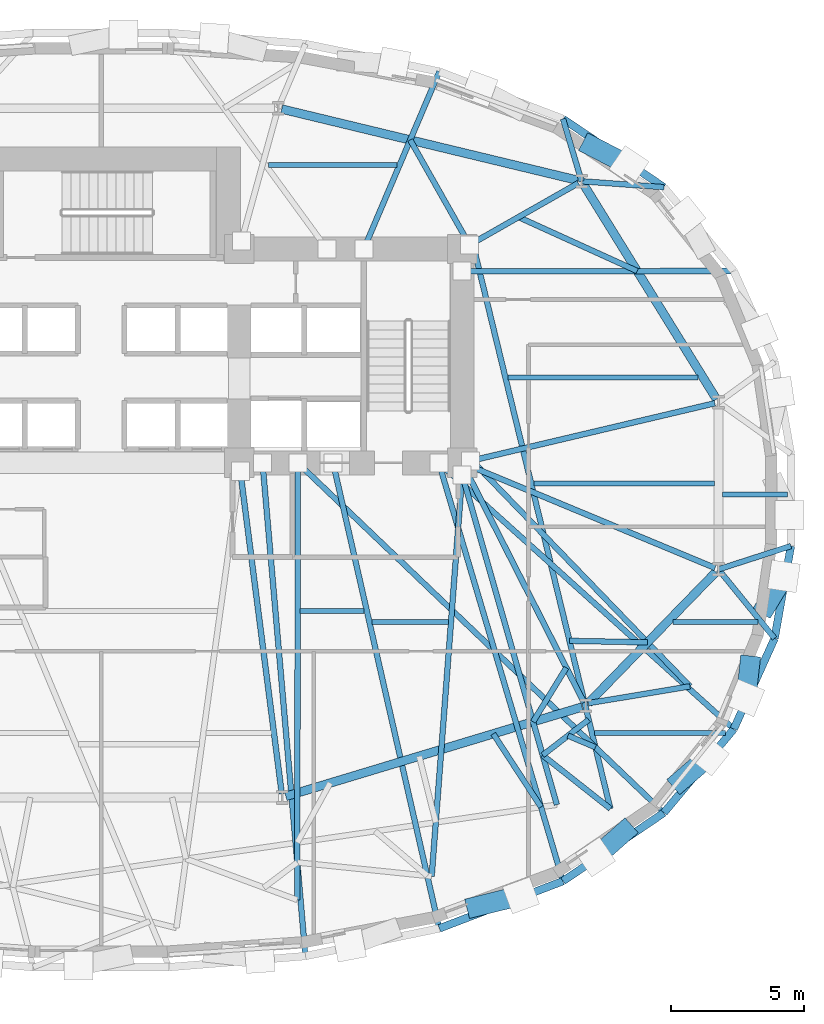
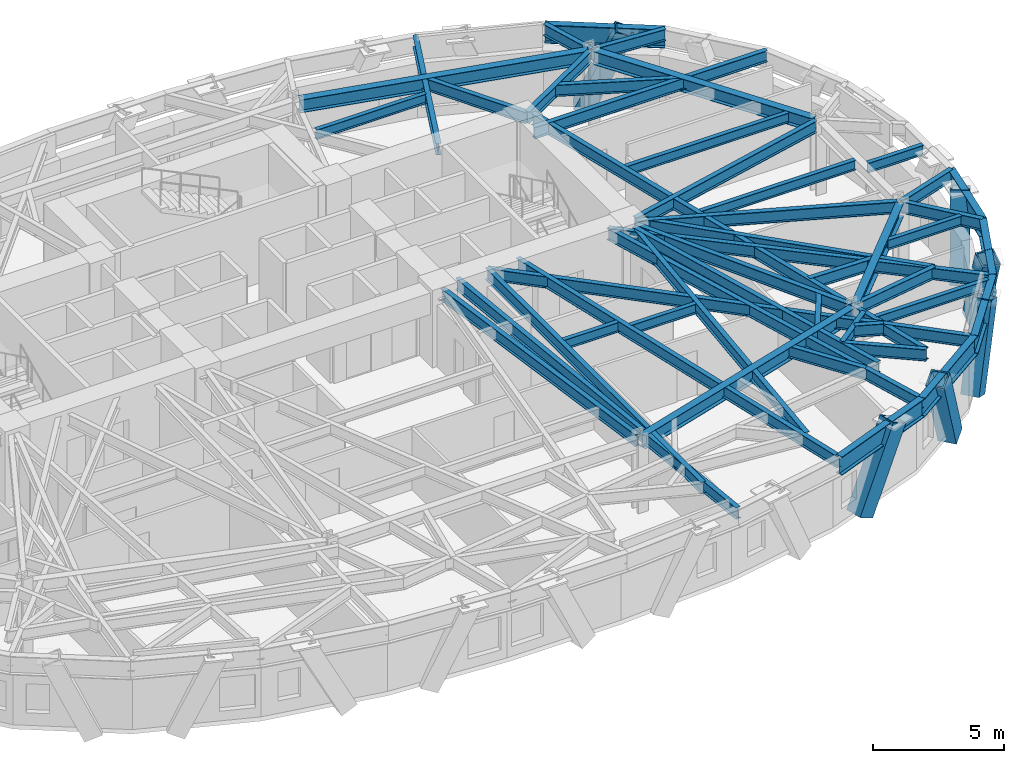
# One storey, part 3 of 13: 48 beams, 6 members.
"""IFC4 building model written with IfcOpenShell, lengths in metres."""

from ifc_helpers import new_model, si_unit, direction, frame, origin, origin_2d, place, context, subcontext, project, spatial, hollow_rectangle, i_section, extrude, material, material_profile, profile_set, type_object, element, save


model = new_model("IFC4")

# Units and contexts
model_context = context("Model", 3, precision=1e-05, world=origin(), true_north=direction((0.0, 1.0)))
body_context = subcontext(model_context, "Body", "Model", "MODEL_VIEW")
ifc_project = project(units=[si_unit("LENGTHUNIT", "METRE"), si_unit("AREAUNIT", "SQUARE_METRE"), si_unit("VOLUMEUNIT", "CUBIC_METRE"), si_unit("PLANEANGLEUNIT", "RADIAN"), si_unit("MASSUNIT", "GRAM", prefix="KILO")], contexts=[model_context])

# Site, building, storey
site_placement = place(None, origin())
site = spatial("IfcSite", under=ifc_project, at=site_placement, CompositionType="ELEMENT")
building_placement = place(site_placement, origin())
building = spatial("IfcBuilding", under=site, at=building_placement, Name="Keldmark Tower", CompositionType="ELEMENT")
storey_placement = place(building_placement, frame((0.0, 0.0, 30.60009765625)))
storey = spatial("IfcBuildingStorey", under=building, at=storey_placement, Name="L07", CompositionType="ELEMENT", Elevation=30.60009765625)

# Beams
ifc_material_1 = material(Name="Steel ASTM A992 Grade 50", Category="steel")
ifc_material_profile_1 = material_profile(ifc_material_1, i_section(OverallWidth=0.19091796875, OverallDepth=0.45703125, WebThickness=0.009033203125, FlangeThickness=0.014404296875, at=origin_2d()), Name="W18X50")
ifc_profile_set_1 = profile_set([ifc_material_profile_1], Name="Steel ASTM A992 Grade 50")
beam_type_1 = type_object("IfcBeamType", Name="Composite Floor Joist W18X50", PredefinedType="JOIST", material=ifc_profile_set_1)
beam_1_placement = place(storey_placement, frame((18.58740234375, -8.780029296875, 3.17138671875), z_axis=(1.0, 0.0, 0.0), x_axis=(0.0, 1.0, 0.0)))
element("IfcBeam", 1, at=beam_1_placement, inside=storey, type_object=beam_type_1, Name="L07 Composite Floor Joist J04", PredefinedType="JOIST", context=body_context, shape_type="SweptSolid", body=[
    extrude(i_section(OverallWidth=0.19091796875, OverallDepth=0.45703125, WebThickness=0.009033203125, FlangeThickness=0.014404296875, at=origin_2d()), origin(), (0.0, 0.0, 1.0), 4.935791015625),
])
beam_2_placement = place(storey_placement, frame((7.49609375, -4.179931640625, 3.17138671875), z_axis=(1.0, 0.0, 0.0), x_axis=(0.0, 1.0, 0.0)))
element("IfcBeam", 2, at=beam_2_placement, inside=storey, type_object=beam_type_1, Name="L07 Composite Floor Joist J10", PredefinedType="JOIST", context=body_context, shape_type="SweptSolid", body=[
    extrude(i_section(OverallWidth=0.19091796875, OverallDepth=0.45703125, WebThickness=0.009033203125, FlangeThickness=0.014404296875, at=origin_2d()), origin(), (0.0, 0.0, 1.0), 2.414306640625),
])
beam_3_placement = place(storey_placement, frame((10.20361328125, -4.60009765625, 3.17138671875), z_axis=(1.0, 0.0, 0.0), x_axis=(0.0, 1.0, 0.0)))
element("IfcBeam", 3, at=beam_3_placement, inside=storey, type_object=beam_type_1, Name="L07 Composite Floor Joist J11", PredefinedType="JOIST", context=body_context, shape_type="SweptSolid", body=[
    extrude(i_section(OverallWidth=0.19091796875, OverallDepth=0.45703125, WebThickness=0.009033203125, FlangeThickness=0.014404296875, at=origin_2d()), origin(), (0.0, 0.0, 1.0), 2.87841796875),
])
beam_4_placement = place(storey_placement, frame((21.537109375, -4.60009765625, 3.17138671875), z_axis=(1.0, 0.0, 0.0), x_axis=(0.0, 1.0, 0.0)))
element("IfcBeam", 4, at=beam_4_placement, inside=storey, type_object=beam_type_1, Name="L07 Composite Floor Joist J12", PredefinedType="JOIST", context=body_context, shape_type="SweptSolid", body=[
    extrude(i_section(OverallWidth=0.19091796875, OverallDepth=0.45703125, WebThickness=0.009033203125, FlangeThickness=0.014404296875, at=origin_2d()), origin(), (0.0, 0.0, 1.0), 3.208251953125),
])
beam_5_placement = place(storey_placement, frame((16.298828125, 0.6201171875, 3.17138671875), z_axis=(1.0, 0.0, 0.0), x_axis=(0.0, 1.0, 0.0)))
element("IfcBeam", 5, at=beam_5_placement, inside=storey, type_object=beam_type_1, Name="L07 Composite Floor Joist J14", PredefinedType="JOIST", context=body_context, shape_type="SweptSolid", body=[
    extrude(i_section(OverallWidth=0.19091796875, OverallDepth=0.45703125, WebThickness=0.009033203125, FlangeThickness=0.014404296875, at=origin_2d()), origin(), (0.0, 0.0, 1.0), 6.80224609375),
])
beam_6_placement = place(storey_placement, frame((23.406982421875, 0.199951171875, 3.17138671875), z_axis=(1.0, 0.0, 0.0), x_axis=(0.0, 1.0, 0.0)))
element("IfcBeam", 6, at=beam_6_placement, inside=storey, type_object=beam_type_1, Name="L07 Composite Floor Joist J15", PredefinedType="JOIST", context=body_context, shape_type="SweptSolid", body=[
    extrude(i_section(OverallWidth=0.19091796875, OverallDepth=0.45703125, WebThickness=0.009033203125, FlangeThickness=0.014404296875, at=origin_2d()), origin(), (0.0, 0.0, 1.0), 2.43896484375),
])
beam_7_placement = place(storey_placement, frame((15.324951171875, 4.6201171875, 3.17138671875), z_axis=(1.0, 0.0, 0.0), x_axis=(0.0, 1.0, 0.0)))
element("IfcBeam", 7, at=beam_7_placement, inside=storey, type_object=beam_type_1, Name="L07 Composite Floor Joist J17", PredefinedType="JOIST", context=body_context, shape_type="SweptSolid", body=[
    extrude(i_section(OverallWidth=0.19091796875, OverallDepth=0.45703125, WebThickness=0.009033203125, FlangeThickness=0.014404296875, at=origin_2d()), origin(), (0.0, 0.0, 1.0), 7.16455078125),
])
beam_8_placement = place(storey_placement, frame((6.3125, 12.6201171875, 3.17138671875), z_axis=(1.0, 0.0, 0.0), x_axis=(0.0, 1.0, 0.0)))
element("IfcBeam", 8, at=beam_8_placement, inside=storey, type_object=beam_type_1, Name="L07 Composite Floor Joist J19", PredefinedType="JOIST", context=body_context, shape_type="SweptSolid", body=[
    extrude(i_section(OverallWidth=0.19091796875, OverallDepth=0.45703125, WebThickness=0.009033203125, FlangeThickness=0.014404296875, at=origin_2d()), origin(), (0.0, 0.0, 1.0), 4.823974609375),
])

# Members
ifc_material_2 = material(Name="Steel ASTM A572 Grade 50", Category="steel")
ifc_material_profile_2 = material_profile(ifc_material_2, hollow_rectangle(XDim=0.75, YDim=0.75, WallThickness=0.06494140625, at=origin_2d()), Name="BOX750X750X65")
ifc_profile_set_2 = profile_set([ifc_material_profile_2], Name="Steel ASTM A572 Grade 50")
member_type = type_object("IfcMemberType", Name="Diagrid Lower Brace BOX750X750X65", PredefinedType="BRACE", material=ifc_profile_set_2)
member_1_placement = place(storey_placement, frame((18.45849609375, 13.341796875, -0.280029296875), z_axis=(0.365181003945, -0.18946655648, 0.911452279789), x_axis=(0.46053446797, 0.887641821802, 0.0)))
element("IfcMember", 9, at=member_1_placement, inside=storey, type_object=member_type, Name="L07 Perimeter Diagrid Brace 02B", PredefinedType="BRACE", context=body_context, shape_type="SweptSolid", body=[
    extrude(hollow_rectangle(XDim=0.75, YDim=0.75, WallThickness=0.06494140625, at=origin_2d()), origin(), (0.0, 0.0, 1.0), 3.90576171875),
])
member_2_placement = place(storey_placement, frame((14.11181640625, -15.319091796875, -0.280029296875), z_axis=(0.429288357235, 0.106230261204, 0.896898343151), x_axis=(-0.240211280595, 0.970720629571, 0.0)))
element("IfcMember", 10, at=member_2_placement, inside=storey, type_object=member_type, Name="L07 Perimeter Diagrid Brace 14A", PredefinedType="BRACE", context=body_context, shape_type="SweptSolid", body=[
    extrude(hollow_rectangle(XDim=0.75, YDim=0.75, WallThickness=0.06494140625, at=origin_2d()), origin(), (0.0, 0.0, 1.0), 3.968994140625),
])
member_3_placement = place(storey_placement, frame((19.722900390625, -12.48291015625, -0.280029296875), z_axis=(-0.285001582628, -0.251636162538, 0.924907205942), x_axis=(0.661864400512, -0.74962358243, 0.0)))
element("IfcMember", 11, at=member_3_placement, inside=storey, type_object=member_type, Name="L07 Perimeter Diagrid Brace 14B", PredefinedType="BRACE", context=body_context, shape_type="SweptSolid", body=[
    extrude(hollow_rectangle(XDim=0.75, YDim=0.75, WallThickness=0.06494140625, at=origin_2d()), origin(), (0.0, 0.0, 1.0), 3.848876953125),
])
member_4_placement = place(storey_placement, frame((21.81396484375, -10.588134765625, -0.280029296875), z_axis=(0.284446514488, 0.246706682099, 0.926404875529), x_axis=(-0.655213151675, 0.755444058731, 0.0)))
element("IfcMember", 12, at=member_4_placement, inside=storey, type_object=member_type, Name="L07 Perimeter Diagrid Brace 15A", PredefinedType="BRACE", context=body_context, shape_type="SweptSolid", body=[
    extrude(hollow_rectangle(XDim=0.75, YDim=0.75, WallThickness=0.06494140625, at=origin_2d()), origin(), (0.0, 0.0, 1.0), 3.842529296875),
])
member_5_placement = place(storey_placement, frame((24.42919921875, -6.228515625, -0.280029296875), z_axis=(-0.036789376475, -0.326700026299, 0.944411792914), x_axis=(0.993719272746, -0.111901773775, 0.0)))
element("IfcMember", 13, at=member_5_placement, inside=storey, type_object=member_type, Name="L07 Perimeter Diagrid Brace 15B", PredefinedType="BRACE", context=body_context, shape_type="SweptSolid", body=[
    extrude(hollow_rectangle(XDim=0.75, YDim=0.75, WallThickness=0.06494140625, at=origin_2d()), origin(), (0.0, 0.0, 1.0), 3.769287109375),
])
member_6_placement = place(storey_placement, frame((25.062255859375, -3.96484375, -0.280029296875), z_axis=(0.174164005601, 0.288206880608, 0.941596353606), x_axis=(-0.855864257108, 0.517200515666, 0.0)))
element("IfcMember", 14, at=member_6_placement, inside=storey, type_object=member_type, Name="L07 Perimeter Diagrid Brace 16A", PredefinedType="BRACE", context=body_context, shape_type="SweptSolid", body=[
    extrude(hollow_rectangle(XDim=0.75, YDim=0.75, WallThickness=0.06494140625, at=origin_2d()), origin(), (0.0, 0.0, 1.0), 3.780517578125),
])

# Beams
ifc_material_3 = material(Name="Steel ASTM A992 Grade 50", Category="steel")
ifc_material_profile_3 = material_profile(ifc_material_3, i_section(OverallWidth=0.323974609375, OverallDepth=0.611083984375, WebThickness=0.0126953125, FlangeThickness=0.01904296875, at=origin_2d()), Name="W24X104")
ifc_profile_set_3 = profile_set([ifc_material_profile_3], Name="Steel ASTM A992 Grade 50")
beam_type_2 = type_object("IfcBeamType", Name="Primary Floor Girder W24X104", PredefinedType="BEAM", material=ifc_profile_set_3)
beam_9_placement = place(storey_placement, frame((23.180419921875, 3.796142578125, 3.094482421875), z_axis=(-0.526318405849, 0.850287560573, 0.0), x_axis=(-0.850287560573, -0.526318405849, 0.0)))
element("IfcBeam", 15, at=beam_9_placement, inside=storey, type_object=beam_type_2, Name="L07 Floor Ring Girder FG-R01", PredefinedType="BEAM", context=body_context, shape_type="SweptSolid", body=[
    extrude(i_section(OverallWidth=0.323974609375, OverallDepth=0.611083984375, WebThickness=0.0126953125, FlangeThickness=0.01904296875, at=origin_2d()), origin(), (0.0, 0.0, 1.0), 9.51708984375),
])
beam_10_placement = place(storey_placement, frame((17.961669921875, 12.040283203125, 3.094482421875), z_axis=(-0.972218707757, 0.2340743136, 0.0), x_axis=(-0.2340743136, -0.972218707757, 0.0)))
element("IfcBeam", 16, at=beam_10_placement, inside=storey, type_object=beam_type_2, Name="L07 Floor Ring Girder FG-R02", PredefinedType="BEAM", context=body_context, shape_type="SweptSolid", body=[
    extrude(i_section(OverallWidth=0.323974609375, OverallDepth=0.611083984375, WebThickness=0.0126953125, FlangeThickness=0.01904296875, at=origin_2d()), origin(), (0.0, 0.0, 1.0), 11.479248046875),
])
beam_11_placement = place(storey_placement, frame((6.9560546875, -11.165283203125, 3.094482421875), z_axis=(0.957346071406, 0.2889437654, 0.0), x_axis=(-0.2889437654, 0.957346071406, 0.0)))
element("IfcBeam", 17, at=beam_11_placement, inside=storey, type_object=beam_type_2, Name="L07 Floor Ring Girder FG-R10", PredefinedType="BEAM", context=body_context, shape_type="SweptSolid", body=[
    extrude(i_section(OverallWidth=0.323974609375, OverallDepth=0.611083984375, WebThickness=0.0126953125, FlangeThickness=0.01904296875, at=origin_2d()), origin(), (0.0, 0.0, 1.0), 11.66015625),
])
beam_12_placement = place(storey_placement, frame((18.350341796875, -7.6552734375, 3.094482421875), z_axis=(0.697210382268, 0.716866572563, 0.0), x_axis=(-0.716866572563, 0.697210382268, 0.0)))
element("IfcBeam", 18, at=beam_12_placement, inside=storey, type_object=beam_type_2, Name="L07 Floor Ring Girder FG-R11", PredefinedType="BEAM", context=body_context, shape_type="SweptSolid", body=[
    extrude(i_section(OverallWidth=0.323974609375, OverallDepth=0.611083984375, WebThickness=0.0126953125, FlangeThickness=0.01904296875, at=origin_2d()), origin(), (0.0, 0.0, 1.0), 6.893310546875),
])
ifc_material_4 = material(Name="Steel ASTM A992 Grade 50", Category="steel")
ifc_material_profile_4 = material_profile(ifc_material_4, i_section(OverallWidth=0.2099609375, OverallDepth=0.537109375, WebThickness=0.010986328125, FlangeThickness=0.017333984375, at=origin_2d()), Name="W21X68")
ifc_profile_set_4 = profile_set([ifc_material_profile_4], Name="Steel ASTM A992 Grade 50")
beam_type_3 = type_object("IfcBeamType", Name="Radial Tie Girder W21X68", PredefinedType="BEAM", material=ifc_profile_set_4)
beam_13_placement = place(storey_placement, frame((17.522705078125, -6.319091796875, 3.13134765625), z_axis=(-0.524228528876, -0.851577623891, 0.0), x_axis=(0.851577623891, -0.524228528876, 0.0)))
element("IfcBeam", 19, at=beam_13_placement, inside=storey, type_object=beam_type_3, Name="L07 Framing Pin Header PH-003", PredefinedType="BEAM", context=body_context, shape_type="SweptSolid", body=[
    extrude(i_section(OverallWidth=0.2099609375, OverallDepth=0.537109375, WebThickness=0.010986328125, FlangeThickness=0.017333984375, at=origin_2d()), origin(), (0.0, 0.0, 1.0), 2.3896484375),
])
beam_14_placement = place(storey_placement, frame((13.60009765625, 0.949951171875, 3.13134765625), z_axis=(0.275828214554, -0.961206947569, 0.0), x_axis=(0.961206947569, 0.275828214554, 0.0)))
element("IfcBeam", 20, at=beam_14_placement, inside=storey, type_object=beam_type_3, Name="L07 Sub-Ring Step Girder STP1-M11", PredefinedType="BEAM", context=body_context, shape_type="SweptSolid", body=[
    extrude(i_section(OverallWidth=0.2099609375, OverallDepth=0.537109375, WebThickness=0.010986328125, FlangeThickness=0.017333984375, at=origin_2d()), origin(), (0.0, 0.0, 1.0), 12.9296875),
])
beam_15_placement = place(storey_placement, frame((15.72216796875, 10.65673828125, 3.13134765625), z_axis=(0.910335821886, -0.41387037994, 0.0), x_axis=(0.41387037994, 0.910335821886, 0.0)))
element("IfcBeam", 21, at=beam_15_placement, inside=storey, type_object=beam_type_3, Name="L07 Framing Pin Header PH-006", PredefinedType="BEAM", context=body_context, shape_type="SweptSolid", body=[
    extrude(i_section(OverallWidth=0.2099609375, OverallDepth=0.537109375, WebThickness=0.010986328125, FlangeThickness=0.017333984375, at=origin_2d()), origin(), (0.0, 0.0, 1.0), 4.90966796875),
])
beam_16_placement = place(storey_placement, frame((13.60009765625, 8.621337890625, 3.13134765625), z_axis=(0.999999874439, 0.000501121495, 0.0), x_axis=(-0.000501121495, 0.999999874439, 0.0)))
element("IfcBeam", 22, at=beam_16_placement, inside=storey, type_object=beam_type_3, Name="L07 Perimeter Radial Tie Girder RT-03", PredefinedType="BEAM", context=body_context, shape_type="SweptSolid", body=[
    extrude(i_section(OverallWidth=0.2099609375, OverallDepth=0.537109375, WebThickness=0.010986328125, FlangeThickness=0.017333984375, at=origin_2d()), origin(), (0.0, 0.0, 1.0), 10.23095703125),
])
beam_17_placement = place(storey_placement, frame((18.09765625, 12.00732421875, 3.13134765625), z_axis=(0.997363750587, -0.072564102799, 0.0), x_axis=(0.072564102799, 0.997363750587, 0.0)))
element("IfcBeam", 23, at=beam_17_placement, inside=storey, type_object=beam_type_3, Name="L07 Perimeter Column Bracket RT-04", PredefinedType="BEAM", context=body_context, shape_type="SweptSolid", body=[
    extrude(i_section(OverallWidth=0.2099609375, OverallDepth=0.537109375, WebThickness=0.010986328125, FlangeThickness=0.017333984375, at=origin_2d()), origin(), (0.0, 0.0, 1.0), 3.10888671875),
])
beam_18_placement = place(storey_placement, frame((18.09765625, 12.00732421875, 3.13134765625), z_axis=(-0.285885361765, 0.958263825848, 0.0), x_axis=(-0.958263825848, -0.285885361765, 0.0)))
element("IfcBeam", 24, at=beam_18_placement, inside=storey, type_object=beam_type_3, Name="L07 Perimeter Column Bracket RT-05", PredefinedType="BEAM", context=body_context, shape_type="SweptSolid", body=[
    extrude(i_section(OverallWidth=0.2099609375, OverallDepth=0.537109375, WebThickness=0.010986328125, FlangeThickness=0.017333984375, at=origin_2d()), origin(), (0.0, 0.0, 1.0), 2.450927734375),
])
beam_19_placement = place(storey_placement, frame((13.878173828125, 9.608154296875, 3.13134765625), z_axis=(-0.49233706272, 0.870404628131, 0.0), x_axis=(-0.870404628131, -0.49233706272, 0.0)))
element("IfcBeam", 25, at=beam_19_placement, inside=storey, type_object=beam_type_3, Name="L07 Framing Pin Header PH-007", PredefinedType="BEAM", context=body_context, shape_type="SweptSolid", body=[
    extrude(i_section(OverallWidth=0.2099609375, OverallDepth=0.537109375, WebThickness=0.010986328125, FlangeThickness=0.017333984375, at=origin_2d()), origin(), (0.0, 0.0, 1.0), 4.542236328125),
])
beam_20_placement = place(storey_placement, frame((9.892822265625, 9.449951171875, 3.13134765625), z_axis=(0.391408741079, 0.920216929537, 0.0), x_axis=(-0.920216929537, 0.391408741079, 0.0)))
element("IfcBeam", 26, at=beam_20_placement, inside=storey, type_object=beam_type_3, Name="L07 Perimeter Radial Tie Girder RT-06", PredefinedType="BEAM", context=body_context, shape_type="SweptSolid", body=[
    extrude(i_section(OverallWidth=0.2099609375, OverallDepth=0.537109375, WebThickness=0.010986328125, FlangeThickness=0.017333984375, at=origin_2d()), origin(), (0.0, 0.0, 1.0), 7.269287109375),
])
beam_21_placement = place(storey_placement, frame((7.406982421875, 1.39990234375, 3.13134765625), z_axis=(-0.001230722674, -0.999999242661, 0.0), x_axis=(0.999999242661, -0.001230722674, 0.0)))
element("IfcBeam", 27, at=beam_21_placement, inside=storey, type_object=beam_type_3, Name="L07 Intermediate Radial Step Girder RT-26M", PredefinedType="BEAM", context=body_context, shape_type="SweptSolid", body=[
    extrude(i_section(OverallWidth=0.2099609375, OverallDepth=0.537109375, WebThickness=0.010986328125, FlangeThickness=0.017333984375, at=origin_2d()), origin(), (0.0, 0.0, 1.0), 16.46484375),
])
beam_22_placement = place(storey_placement, frame((6.07861328125, 1.39990234375, 3.13134765625), z_axis=(0.086686104842, -0.996235674541, 0.0), x_axis=(0.996235674541, 0.086686104842, 0.0)))
element("IfcBeam", 28, at=beam_22_placement, inside=storey, type_object=beam_type_3, Name="L07 Perimeter Radial Tie Girder RT-26", PredefinedType="BEAM", context=body_context, shape_type="SweptSolid", body=[
    extrude(i_section(OverallWidth=0.2099609375, OverallDepth=0.537109375, WebThickness=0.010986328125, FlangeThickness=0.017333984375, at=origin_2d()), origin(), (0.0, 0.0, 1.0), 18.650146484375),
])
beam_23_placement = place(storey_placement, frame((13.60009765625, 0.949951171875, 3.13134765625), z_axis=(-0.07575111414, -0.997126756589, 0.0), x_axis=(0.997126756589, -0.07575111414, 0.0)))
element("IfcBeam", 29, at=beam_23_placement, inside=storey, type_object=beam_type_3, Name="L07 Intermediate Radial Step Girder RT-27M", PredefinedType="BEAM", context=body_context, shape_type="SweptSolid", body=[
    extrude(i_section(OverallWidth=0.2099609375, OverallDepth=0.537109375, WebThickness=0.010986328125, FlangeThickness=0.017333984375, at=origin_2d()), origin(), (0.0, 0.0, 1.0), 15.1669921875),
])
beam_24_placement = place(storey_placement, frame((8.735595703125, 1.39990234375, 3.13134765625), z_axis=(0.222482092389, -0.974936776702, 0.0), x_axis=(0.974936776702, 0.222482092389, 0.0)))
element("IfcBeam", 30, at=beam_24_placement, inside=storey, type_object=beam_type_3, Name="L07 Perimeter Radial Tie Girder RT-27", PredefinedType="BEAM", context=body_context, shape_type="SweptSolid", body=[
    extrude(i_section(OverallWidth=0.2099609375, OverallDepth=0.537109375, WebThickness=0.010986328125, FlangeThickness=0.017333984375, at=origin_2d()), origin(), (0.0, 0.0, 1.0), 17.989990234375),
])
beam_25_placement = place(storey_placement, frame((14.77001953125, -8.806884765625, 3.13134765625), z_axis=(0.546220290563, -0.837641566649, 0.0), x_axis=(0.837641566649, 0.546220290563, 0.0)))
element("IfcBeam", 31, at=beam_25_placement, inside=storey, type_object=beam_type_3, Name="L07 Framing Pin Header PH-022", PredefinedType="BEAM", context=body_context, shape_type="SweptSolid", body=[
    extrude(i_section(OverallWidth=0.2099609375, OverallDepth=0.537109375, WebThickness=0.010986328125, FlangeThickness=0.017333984375, at=origin_2d()), origin(), (0.0, 0.0, 1.0), 3.293212890625),
])
beam_26_placement = place(storey_placement, frame((12.721435546875, 1.39990234375, 3.13134765625), z_axis=(0.284487365921, -0.958679789414, 0.0), x_axis=(0.958679789414, 0.284487365921, 0.0)))
element("IfcBeam", 32, at=beam_26_placement, inside=storey, type_object=beam_type_3, Name="L07 Perimeter Radial Tie Girder RT-28", PredefinedType="BEAM", context=body_context, shape_type="SweptSolid", body=[
    extrude(i_section(OverallWidth=0.2099609375, OverallDepth=0.537109375, WebThickness=0.010986328125, FlangeThickness=0.017333984375, at=origin_2d()), origin(), (0.0, 0.0, 1.0), 16.43505859375),
])
beam_27_placement = place(storey_placement, frame((16.631591796875, -9.614013671875, 3.13134765625), z_axis=(0.791549649623, 0.611104861854, 0.0), x_axis=(-0.611104861854, 0.791549649623, 0.0)))
element("IfcBeam", 33, at=beam_27_placement, inside=storey, type_object=beam_type_3, Name="L07 Framing Pin Header PH-023", PredefinedType="BEAM", context=body_context, shape_type="SweptSolid", body=[
    extrude(i_section(OverallWidth=0.2099609375, OverallDepth=0.537109375, WebThickness=0.010986328125, FlangeThickness=0.017333984375, at=origin_2d()), origin(), (0.0, 0.0, 1.0), 2.1904296875),
])
beam_28_placement = place(storey_placement, frame((14.050048828125, 9.449951171875, 3.13134765625), z_axis=(0.236560328274, -0.971616802596, 0.0), x_axis=(0.971616802596, 0.236560328274, 0.0)))
element("IfcBeam", 34, at=beam_28_placement, inside=storey, type_object=beam_type_3, Name="L07 Intermediate Radial Step Girder RT-29M", PredefinedType="BEAM", context=body_context, shape_type="SweptSolid", body=[
    extrude(i_section(OverallWidth=0.2099609375, OverallDepth=0.537109375, WebThickness=0.010986328125, FlangeThickness=0.017333984375, at=origin_2d()), origin(), (0.0, 0.0, 1.0), 21.695556640625),
])
beam_29_placement = place(storey_placement, frame((16.631591796875, -9.614013671875, 3.13134765625), z_axis=(0.784569351473, -0.620041073422, 0.0), x_axis=(0.620041073422, 0.784569351473, 0.0)))
element("IfcBeam", 35, at=beam_29_placement, inside=storey, type_object=beam_type_3, Name="L07 Local Collector Chord RT-29C", PredefinedType="BEAM", context=body_context, shape_type="SweptSolid", body=[
    extrude(i_section(OverallWidth=0.2099609375, OverallDepth=0.537109375, WebThickness=0.010986328125, FlangeThickness=0.017333984375, at=origin_2d()), origin(), (0.0, 0.0, 1.0), 3.251220703125),
])
beam_30_placement = place(storey_placement, frame((17.585205078125, -8.877685546875, 3.13134765625), z_axis=(0.920555729435, -0.390611250483, 0.0), x_axis=(0.390611250483, 0.920555729435, 0.0)))
element("IfcBeam", 36, at=beam_30_placement, inside=storey, type_object=beam_type_3, Name="L07 Framing Pin Header PH-024", PredefinedType="BEAM", context=body_context, shape_type="SweptSolid", body=[
    extrude(i_section(OverallWidth=0.2099609375, OverallDepth=0.537109375, WebThickness=0.010986328125, FlangeThickness=0.017333984375, at=origin_2d()), origin(), (0.0, 0.0, 1.0), 1.123046875),
])
beam_31_placement = place(storey_placement, frame((7.406982421875, 1.39990234375, 3.13134765625), z_axis=(0.722903611947, -0.690948889452, 0.0), x_axis=(0.690948889452, 0.722903611947, 0.0)))
element("IfcBeam", 37, at=beam_31_placement, inside=storey, type_object=beam_type_3, Name="L07 Perimeter Radial Tie Girder RT-29", PredefinedType="BEAM", context=body_context, shape_type="SweptSolid", body=[
    extrude(i_section(OverallWidth=0.2099609375, OverallDepth=0.537109375, WebThickness=0.010986328125, FlangeThickness=0.017333984375, at=origin_2d()), origin(), (0.0, 0.0, 1.0), 19.07763671875),
])
beam_32_placement = place(storey_placement, frame((17.642578125, -5.305908203125, 3.13134765625), z_axis=(0.999810875738, -0.019447692845, 0.0), x_axis=(0.019447692845, 0.999810875738, 0.0)))
element("IfcBeam", 38, at=beam_32_placement, inside=storey, type_object=beam_type_3, Name="L07 Framing Pin Header PH-025", PredefinedType="BEAM", context=body_context, shape_type="SweptSolid", body=[
    extrude(i_section(OverallWidth=0.2099609375, OverallDepth=0.537109375, WebThickness=0.010986328125, FlangeThickness=0.017333984375, at=origin_2d()), origin(), (0.0, 0.0, 1.0), 2.9375),
])
beam_33_placement = place(storey_placement, frame((14.050048828125, 1.39990234375, 3.13134765625), z_axis=(0.694587441249, -0.719408289124, 0.0), x_axis=(0.719408289124, 0.694587441249, 0.0)))
element("IfcBeam", 39, at=beam_33_placement, inside=storey, type_object=beam_type_3, Name="L07 Intermediate Radial Step Girder RT-30M", PredefinedType="BEAM", context=body_context, shape_type="SweptSolid", body=[
    extrude(i_section(OverallWidth=0.2099609375, OverallDepth=0.537109375, WebThickness=0.010986328125, FlangeThickness=0.017333984375, at=origin_2d()), origin(), (0.0, 0.0, 1.0), 11.705078125),
])
beam_34_placement = place(storey_placement, frame((18.350341796875, -7.6552734375, 3.13134765625), z_axis=(0.986551542095, 0.163450465857, 0.0), x_axis=(-0.163450465857, 0.986551542095, 0.0)))
element("IfcBeam", 40, at=beam_34_placement, inside=storey, type_object=beam_type_3, Name="L07 Local Collector Chord RT-30C", PredefinedType="BEAM", context=body_context, shape_type="SweptSolid", body=[
    extrude(i_section(OverallWidth=0.2099609375, OverallDepth=0.537109375, WebThickness=0.010986328125, FlangeThickness=0.017333984375, at=origin_2d()), origin(), (0.0, 0.0, 1.0), 3.882080078125),
])
beam_35_placement = place(storey_placement, frame((12.721435546875, 1.39990234375, 3.13134765625), z_axis=(0.742372732614, -0.669987108735, 0.0), x_axis=(0.669987108735, 0.742372732614, 0.0)))
element("IfcBeam", 41, at=beam_35_placement, inside=storey, type_object=beam_type_3, Name="L07 Perimeter Radial Tie Girder RT-30", PredefinedType="BEAM", context=body_context, shape_type="SweptSolid", body=[
    extrude(i_section(OverallWidth=0.2099609375, OverallDepth=0.537109375, WebThickness=0.010986328125, FlangeThickness=0.017333984375, at=origin_2d()), origin(), (0.0, 0.0, 1.0), 14.965087890625),
])
beam_36_placement = place(storey_placement, frame((23.25390625, -2.61328125, 3.13134765625), z_axis=(0.631179636321, -0.775636684726, 0.0), x_axis=(0.775636684726, 0.631179636321, 0.0)))
element("IfcBeam", 42, at=beam_36_placement, inside=storey, type_object=beam_type_3, Name="L07 Perimeter Column Bracket RT-31", PredefinedType="BEAM", context=body_context, shape_type="SweptSolid", body=[
    extrude(i_section(OverallWidth=0.2099609375, OverallDepth=0.537109375, WebThickness=0.010986328125, FlangeThickness=0.017333984375, at=origin_2d()), origin(), (0.0, 0.0, 1.0), 3.349609375),
])
beam_37_placement = place(storey_placement, frame((23.25390625, -2.61328125, 3.13134765625), z_axis=(0.951728677703, 0.306940587146, 0.0), x_axis=(-0.306940587146, 0.951728677703, 0.0)))
element("IfcBeam", 43, at=beam_37_placement, inside=storey, type_object=beam_type_3, Name="L07 Perimeter Column Bracket RT-32", PredefinedType="BEAM", context=body_context, shape_type="SweptSolid", body=[
    extrude(i_section(OverallWidth=0.2099609375, OverallDepth=0.537109375, WebThickness=0.010986328125, FlangeThickness=0.017333984375, at=origin_2d()), origin(), (0.0, 0.0, 1.0), 2.867431640625),
])
ifc_material_5 = material(Name="Steel ASTM A992 Grade 50", Category="steel")
ifc_material_profile_5 = material_profile(ifc_material_5, i_section(OverallWidth=0.214111328125, OverallDepth=0.549072265625, WebThickness=0.0146484375, FlangeThickness=0.023681640625, at=origin_2d()), Name="W21X93")
ifc_profile_set_5 = profile_set([ifc_material_profile_5], Name="Steel ASTM A992 Grade 50")
beam_type_4 = type_object("IfcBeamType", Name="Radial Tie Girder W21X93", PredefinedType="BEAM", material=ifc_profile_set_5)
beam_38_placement = place(storey_placement, frame((23.11767578125, 3.64501953125, 3.12548828125), z_axis=(-0.973287364179, -0.229590301909, 0.0), x_axis=(0.229590301909, -0.973287364179, 0.0)))
element("IfcBeam", 44, at=beam_38_placement, inside=storey, type_object=beam_type_4, Name="L07 Floor Radial Girder FG-C01", PredefinedType="BEAM", context=body_context, shape_type="SweptSolid", body=[
    extrude(i_section(OverallWidth=0.214111328125, OverallDepth=0.549072265625, WebThickness=0.0146484375, FlangeThickness=0.023681640625, at=origin_2d()), origin(), (0.0, 0.0, 1.0), 9.458740234375),
])
beam_39_placement = place(storey_placement, frame((17.97607421875, 11.938232421875, 3.12548828125), z_axis=(-0.869299282131, -0.494286109542, 0.0), x_axis=(0.494286109542, -0.869299282131, 0.0)))
element("IfcBeam", 45, at=beam_39_placement, inside=storey, type_object=beam_type_4, Name="L07 Floor Radial Girder FG-C02", PredefinedType="BEAM", context=body_context, shape_type="SweptSolid", body=[
    extrude(i_section(OverallWidth=0.214111328125, OverallDepth=0.549072265625, WebThickness=0.0146484375, FlangeThickness=0.023681640625, at=origin_2d()), origin(), (0.0, 0.0, 1.0), 4.714111328125),
])
beam_40_placement = place(storey_placement, frame((6.80419921875, -11.06689453125, 3.12548828125), z_axis=(-0.127634898593, 0.99182122011, 0.0), x_axis=(-0.99182122011, -0.127634898593, 0.0)))
element("IfcBeam", 46, at=beam_40_placement, inside=storey, type_object=beam_type_4, Name="L07 Floor Radial Girder FG-C10", PredefinedType="BEAM", context=body_context, shape_type="SweptSolid", body=[
    extrude(i_section(OverallWidth=0.214111328125, OverallDepth=0.549072265625, WebThickness=0.0146484375, FlangeThickness=0.023681640625, at=origin_2d()), origin(), (0.0, 0.0, 1.0), 12.24951171875),
])
beam_41_placement = place(storey_placement, frame((18.189453125, -7.630859375, 3.12548828125), z_axis=(-0.453037526986, 0.891491446478, 0.0), x_axis=(-0.891491446478, -0.453037526986, 0.0)))
element("IfcBeam", 47, at=beam_41_placement, inside=storey, type_object=beam_type_4, Name="L07 Floor Radial Girder FG-C11", PredefinedType="BEAM", context=body_context, shape_type="SweptSolid", body=[
    extrude(i_section(OverallWidth=0.214111328125, OverallDepth=0.549072265625, WebThickness=0.0146484375, FlangeThickness=0.023681640625, at=origin_2d()), origin(), (0.0, 0.0, 1.0), 9.81005859375),
])
beam_42_placement = place(storey_placement, frame((23.124755859375, -2.5595703125, 3.12548828125), z_axis=(-0.923390978102, 0.383860784088, 0.0), x_axis=(-0.383860784088, -0.923390978102, 0.0)))
element("IfcBeam", 48, at=beam_42_placement, inside=storey, type_object=beam_type_4, Name="L07 Floor Radial Girder FG-C12", PredefinedType="BEAM", context=body_context, shape_type="SweptSolid", body=[
    extrude(i_section(OverallWidth=0.214111328125, OverallDepth=0.549072265625, WebThickness=0.0146484375, FlangeThickness=0.023681640625, at=origin_2d()), origin(), (0.0, 0.0, 1.0), 9.994873046875),
])
ifc_material_6 = material(Name="Steel ASTM A992 Grade 50", Category="steel")
ifc_material_profile_6 = material_profile(ifc_material_6, i_section(OverallWidth=0.2919921875, OverallDepth=0.85888671875, WebThickness=0.01708984375, FlangeThickness=0.031005859375, at=origin_2d()), Name="W33X169")
ifc_profile_set_6 = profile_set([ifc_material_profile_6], Name="Steel ASTM A992 Grade 50")
beam_type_5 = type_object("IfcBeamType", Name="Spandrel Ring Beam W33X169", PredefinedType="SPANDREL", material=ifc_profile_set_6)
beam_43_placement = place(storey_placement, frame((21.1982421875, 11.78173828125, 2.970458984375), z_axis=(-0.828003115717, 0.560723497246, 0.0), x_axis=(-0.560723497246, -0.828003115717, 0.0)))
element("IfcBeam", 49, at=beam_43_placement, inside=storey, type_object=beam_type_5, Name="L07 Perimeter Spandrel Ring Beam SRB-04", PredefinedType="SPANDREL", context=body_context, shape_type="SweptSolid", body=[
    extrude(i_section(OverallWidth=0.2919921875, OverallDepth=0.85888671875, WebThickness=0.01708984375, FlangeThickness=0.031005859375, at=origin_2d()), origin(), (0.0, 0.0, 1.0), 4.5908203125),
])
beam_44_placement = place(storey_placement, frame((12.738037109375, -16.13916015625, 2.970458984375), z_axis=(0.933928375579, 0.357460192592, 0.0), x_axis=(-0.357460192592, 0.933928375579, 0.0)))
element("IfcBeam", 50, at=beam_44_placement, inside=storey, type_object=beam_type_5, Name="L07 Perimeter Spandrel Ring Beam SRB-27", PredefinedType="SPANDREL", context=body_context, shape_type="SweptSolid", body=[
    extrude(i_section(OverallWidth=0.2919921875, OverallDepth=0.85888671875, WebThickness=0.01708984375, FlangeThickness=0.031005859375, at=origin_2d()), origin(), (0.0, 0.0, 1.0), 4.988525390625),
])
beam_45_placement = place(storey_placement, frame((17.39697265625, -14.35595703125, 2.970458984375), z_axis=(0.828003115717, 0.560723497246, 0.0), x_axis=(-0.560723497246, 0.828003115717, 0.0)))
element("IfcBeam", 51, at=beam_45_placement, inside=storey, type_object=beam_type_5, Name="L07 Perimeter Spandrel Ring Beam SRB-28", PredefinedType="SPANDREL", context=body_context, shape_type="SweptSolid", body=[
    extrude(i_section(OverallWidth=0.2919921875, OverallDepth=0.85888671875, WebThickness=0.01708984375, FlangeThickness=0.031005859375, at=origin_2d()), origin(), (0.0, 0.0, 1.0), 4.5908203125),
])
beam_46_placement = place(storey_placement, frame((21.1982421875, -11.78173828125, 2.970458984375), z_axis=(0.640675130162, 0.767812071793, 0.0), x_axis=(-0.767812071793, 0.640675130162, 0.0)))
element("IfcBeam", 52, at=beam_46_placement, inside=storey, type_object=beam_type_5, Name="L07 Perimeter Spandrel Ring Beam SRB-29", PredefinedType="SPANDREL", context=body_context, shape_type="SweptSolid", body=[
    extrude(i_section(OverallWidth=0.2919921875, OverallDepth=0.85888671875, WebThickness=0.01708984375, FlangeThickness=0.031005859375, at=origin_2d()), origin(), (0.0, 0.0, 1.0), 4.109375),
])
beam_47_placement = place(storey_placement, frame((23.8310546875, -8.62646484375, 2.970458984375), z_axis=(0.41044057359, 0.911887348059, 0.0), x_axis=(-0.911887348059, 0.41044057359, 0.0)))
element("IfcBeam", 53, at=beam_47_placement, inside=storey, type_object=beam_type_5, Name="L07 Perimeter Spandrel Ring Beam SRB-30", PredefinedType="SPANDREL", context=body_context, shape_type="SweptSolid", body=[
    extrude(i_section(OverallWidth=0.2919921875, OverallDepth=0.85888671875, WebThickness=0.01708984375, FlangeThickness=0.031005859375, at=origin_2d()), origin(), (0.0, 0.0, 1.0), 3.7451171875),
])
beam_48_placement = place(storey_placement, frame((25.3681640625, -5.21142578125, 2.970458984375), z_axis=(0.174041624961, 0.984738296595, 0.0), x_axis=(-0.984738296595, 0.174041624961, 0.0)))
element("IfcBeam", 54, at=beam_48_placement, inside=storey, type_object=beam_type_5, Name="L07 Perimeter Spandrel Ring Beam SRB-31", PredefinedType="SPANDREL", context=body_context, shape_type="SweptSolid", body=[
    extrude(i_section(OverallWidth=0.2919921875, OverallDepth=0.85888671875, WebThickness=0.01708984375, FlangeThickness=0.031005859375, at=origin_2d()), origin(), (0.0, 0.0, 1.0), 3.5322265625),
])

save(model, "model.ifc")
